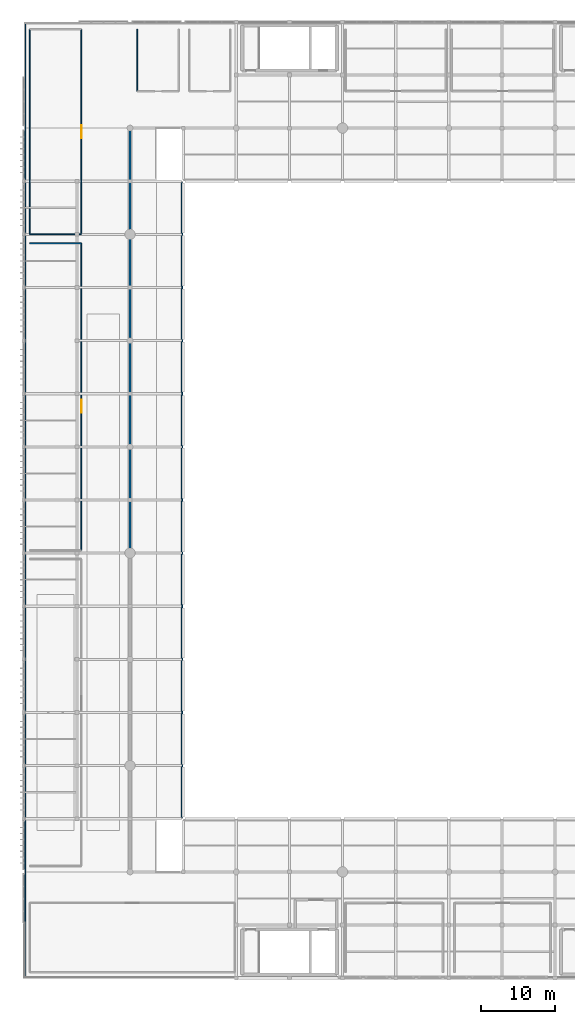
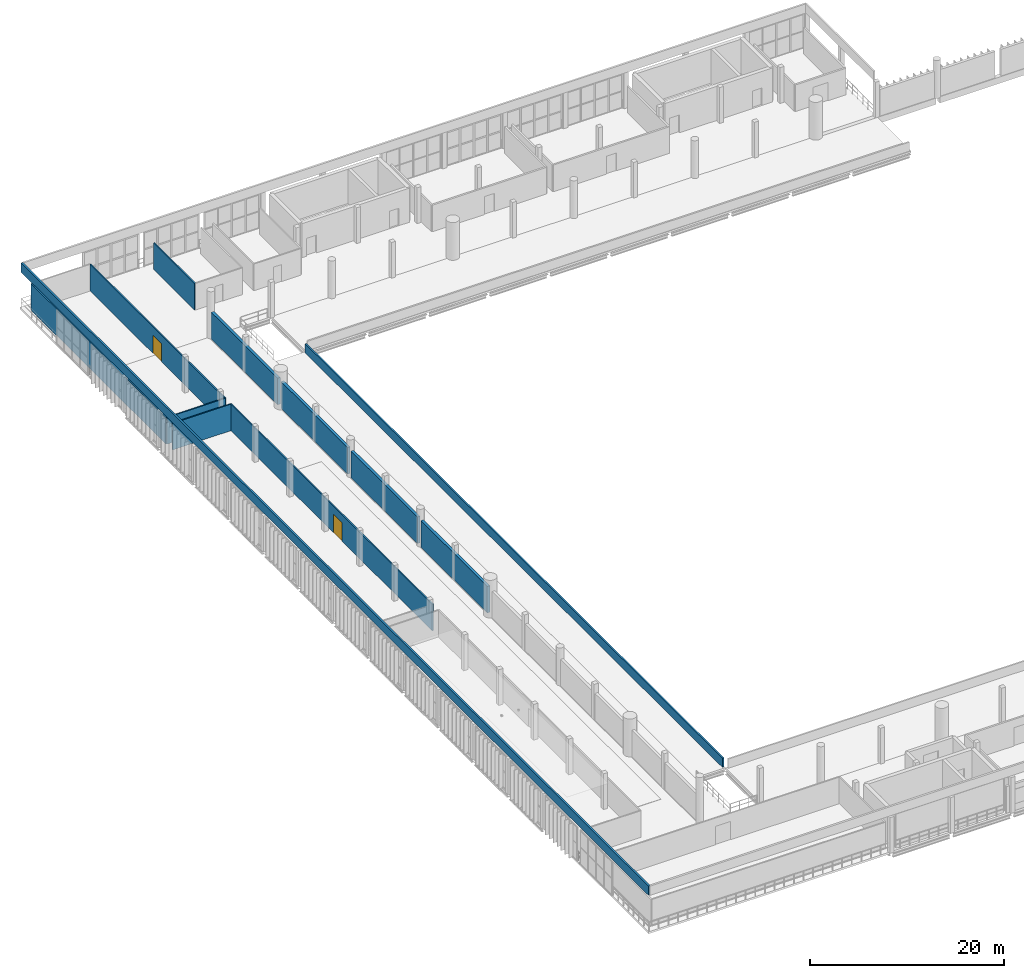
# One storey, part 46 of 64: 12 walls, 2 doors, 2 openings.
"""IFC4 building model written with IfcOpenShell, lengths in metres."""

from ifc_helpers import new_model, si_unit, direction, frame, frame_2d, origin, place, context, subcontext, project, spatial, rectangle, extrude, material, layer, layer_set, type_object, element, fill, save


model = new_model("IFC4")

# Units and contexts
model_context = context("Model", 3, precision=1e-05, world=origin(), true_north=direction((0.0, 1.0)))
body_context = subcontext(model_context, "Body", "Model", "MODEL_VIEW")
ifc_project = project(units=[si_unit("LENGTHUNIT", "METRE"), si_unit("AREAUNIT", "SQUARE_METRE"), si_unit("VOLUMEUNIT", "CUBIC_METRE"), si_unit("PLANEANGLEUNIT", "RADIAN"), si_unit("MASSUNIT", "GRAM", prefix="KILO")], contexts=[model_context])

# Site, building, storey
site_placement = place(None, origin())
site = spatial("IfcSite", under=ifc_project, at=site_placement, CompositionType="ELEMENT")
building_placement = place(site_placement, origin())
building = spatial("IfcBuilding", under=site, at=building_placement, Name="Qandorah Velis Arena", CompositionType="ELEMENT")
storey_placement = place(building_placement, frame((0.0, 0.0, 23.0)))
storey = spatial("IfcBuildingStorey", under=building, at=storey_placement, Name="L05", CompositionType="ELEMENT", Elevation=23.0)

# Walls
ifc_material_1 = material(Name="Precast concrete C40/50", Category="concrete")
ifc_layer_1 = layer(ifc_material_1, 0.320068359375)
ifc_layer_set_1 = layer_set([ifc_layer_1], Name="Precast concrete C40/50")
wall_type_1 = type_object("IfcWallType", Name="ARC-WAL-BOWL320", PredefinedType="SOLIDWALL", material=ifc_layer_set_1)
for number, where, z_axis, x_axis, name in (
    (1, (14.39990234375, 57.949951171875, 0.0), (0.0, 0.0, 1.0), (0.0, 1.0, 0.0), "Arena bowl acoustic drum wall 1.4 (L05)"),
    (2, (14.39990234375, 72.35009765625, 0.0), (0.0, 0.0, 1.0), (0.0, 1.0, 0.0), "Arena bowl acoustic drum wall 1.5 (L05)"),
    (3, (14.39990234375, 86.75, 0.0), (0.0, 0.0, 1.0), (0.0, 1.0, 0.0), "Arena bowl acoustic drum wall 1.6 (L05)"),
):
    element("IfcWall", number, at=place(storey_placement, frame(where, z_axis=z_axis, x_axis=x_axis)), inside=storey, type_object=wall_type_1, Name=name, PredefinedType="SOLIDWALL", context=body_context, shape_type="SweptSolid", body=[
        extrude(rectangle(XDim=13.699951171875, YDim=0.320068359375, at=frame_2d((6.85009765625, 0.0))), origin(), (0.0, 0.0, 1.0), 3.340087890625),
    ])
wall_1_placement = place(storey_placement, frame((14.39990234375, 101.14990234375, 0.0), z_axis=(0.0, 0.0, 1.0), x_axis=(0.0, 1.0, 0.0)))
element("IfcWall", 4, at=wall_1_placement, inside=storey, type_object=wall_type_1, Name="Arena bowl acoustic drum wall 1.7 (L05)", PredefinedType="SOLIDWALL", context=body_context, shape_type="SweptSolid", body=[
    extrude(rectangle(XDim=13.7001953125, YDim=0.320068359375, at=frame_2d((6.85009765625, 0.0))), origin(), (0.0, 0.0, 1.0), 3.340087890625),
])
ifc_layer_2 = layer(ifc_material_1, 0.179931640625)
ifc_layer_set_2 = layer_set([ifc_layer_2], Name="Precast concrete C40/50")
wall_type_2 = type_object("IfcWallType", Name="ARC-WAL-PAR180", PredefinedType="PARAPET", material=ifc_layer_set_2)
wall_2_placement = place(storey_placement, frame((21.449951171875, 21.800048828125, 0.0), z_axis=(0.0, 0.0, 1.0), x_axis=(0.0, 1.0, 0.0)))
element("IfcWall", 5, at=wall_2_placement, inside=storey, type_object=wall_type_2, Name="Roof perimeter parapet wall PW-06", PredefinedType="PARAPET", context=body_context, shape_type="SweptSolid", body=[
    extrude(rectangle(XDim=86.0, YDim=0.179931640625, at=frame_2d((43.0, 0.0))), origin(), (0.0, 0.0, 1.0), 1.14990234375),
])
ifc_layer_3 = layer(ifc_material_1, 0.219970703125)
ifc_layer_set_3 = layer_set([ifc_layer_3], Name="Precast concrete C40/50")
wall_type_3 = type_object("IfcWallType", Name="ARC-WAL-PAR220", PredefinedType="PARAPET", material=ifc_layer_set_3)
wall_3_placement = place(storey_placement, frame((0.14990234375, 0.14990234375, 4.5), z_axis=(0.0, 0.0, 1.0), x_axis=(0.0, 1.0, 0.0)))
element("IfcWall", 6, at=wall_3_placement, inside=storey, type_object=wall_type_3, Name="Roof perimeter parapet wall PW-01", PredefinedType="PARAPET", context=body_context, shape_type="SweptSolid", body=[
    extrude(rectangle(XDim=129.300048828125, YDim=0.219970703125, at=frame_2d((64.64990234375, 0.0))), origin(), (0.0, 0.0, 1.0), 1.14990234375),
])

# Wall, opening, door
ifc_material_2 = material(Name="Concrete C35/45", Category="concrete")
ifc_layer_4 = layer(ifc_material_2, 0.14990234375)
ifc_layer_set_4 = layer_set([ifc_layer_4], Name="Concrete C35/45")
wall_type_4 = type_object("IfcWallType", Name="ARC-WAL-PART150", PredefinedType="PARTITIONING", material=ifc_layer_set_4)
wall_4_placement = place(storey_placement, frame((7.800048828125, 58.0, 0.0), z_axis=(0.0, 0.0, 1.0), x_axis=(0.0, 1.0, 0.0)))
wall_4 = element("IfcWall", 7, at=wall_4_placement, inside=storey, type_object=wall_type_4, Name="Interior partition L05-HER-GAL (E)", PredefinedType="PARTITIONING", context=body_context, shape_type="SweptSolid", body=[
    extrude(rectangle(XDim=41.60009765625, YDim=0.14990234375, at=frame_2d((20.800048828125, 0.0))), origin(), (0.0, 0.0, 1.0), 3.340087890625),
])
opening_1_placement = place(wall_4_placement, frame((18.60009765625, 0.0, 0.0)))
opening_1 = element("IfcOpeningElement", 8, at=opening_1_placement, cuts=wall_4, Name="Opening D3", PredefinedType="OPENING", context=body_context, shape_type="SweptSolid", body=[
    extrude(rectangle(XDim=1.800048828125, YDim=2.300048828125, at=frame_2d((0.89990234375, 1.14990234375))), frame((0.0, 0.0849609375, 0.0), z_axis=(0.0, -1.0, 0.0), x_axis=(1.0, 0.0, 0.0)), (0.0, 0.0, 1.0), 0.169921875),
])
ifc_material_3 = material(Name="Double-leaf acoustic timber door", Category="wood")
door_type = type_object("IfcDoorType", Name="ARC-DR-DBL1800", OperationType="NOTDEFINED", PredefinedType="DOOR", material=ifc_material_3)
door_1_placement = place(opening_1_placement, origin())
door_1 = element("IfcDoor", 9, at=door_1_placement, inside=storey, type_object=door_type, Name="Door L05-HER-GAL", OperationType="DOUBLE_DOOR_SINGLE_SWING", OverallHeight=2.300048828125, OverallWidth=1.800048828125, PredefinedType="DOOR", context=body_context, shape_type="SweptSolid", body=[
    extrude(rectangle(XDim=1.800048828125, YDim=2.300048828125, at=frame_2d((0.89990234375, 1.14990234375))), frame((0.0, 0.02490234375, 0.0), z_axis=(0.0, -1.0, 0.0), x_axis=(1.0, 0.0, 0.0)), (0.0, 0.0, 1.0), 0.050048828125),
])
fill(opening_1, door_1)

# Walls
for number, where, z_axis, x_axis, name in (
    (10, (7.800048828125, 99.60009765625, 0.0), (0.0, 0.0, 1.0), (-1.0, 0.0, 0.0), "Interior partition L05-HER-GAL (N)"),
    (11, (0.800048828125, 100.800048828125, 0.0), (0.0, 0.0, 1.0), (1.0, 0.0, 0.0), "Interior partition L05-SKY-DIN (S)"),
):
    element("IfcWall", number, at=place(storey_placement, frame(where, z_axis=z_axis, x_axis=x_axis)), inside=storey, type_object=wall_type_4, Name=name, PredefinedType="PARTITIONING", context=body_context, shape_type="SweptSolid", body=[
        extrude(rectangle(XDim=7.0, YDim=0.14990234375, at=frame_2d((3.5, 0.0))), origin(), (0.0, 0.0, 1.0), 3.340087890625),
    ])

# Wall, opening, door
wall_5_placement = place(storey_placement, frame((7.800048828125, 100.800048828125, 0.0), z_axis=(0.0, 0.0, 1.0), x_axis=(0.0, 1.0, 0.0)))
wall_5 = element("IfcWall", 12, at=wall_5_placement, inside=storey, type_object=wall_type_4, Name="Interior partition L05-SKY-DIN (E)", PredefinedType="PARTITIONING", context=body_context, shape_type="SweptSolid", body=[
    extrude(rectangle(XDim=27.800048828125, YDim=0.14990234375, at=frame_2d((13.89990234375, 0.0))), origin(), (0.0, 0.0, 1.0), 3.340087890625),
])
opening_2_placement = place(wall_5_placement, frame((13.0, 0.0, 0.0)))
opening_2 = element("IfcOpeningElement", 13, at=opening_2_placement, cuts=wall_5, Name="Opening D3", PredefinedType="OPENING", context=body_context, shape_type="SweptSolid", body=[
    extrude(rectangle(XDim=1.800048828125, YDim=2.300048828125, at=frame_2d((0.89990234375, 1.14990234375))), frame((0.0, 0.0849609375, 0.0), z_axis=(0.0, -1.0, 0.0), x_axis=(1.0, 0.0, 0.0)), (0.0, 0.0, 1.0), 0.169921875),
])
door_2_placement = place(opening_2_placement, frame((1.800048828125, 0.0, 0.0), z_axis=(0.0, 0.0, 1.0), x_axis=(-1.0, 0.0, 0.0)))
door_2 = element("IfcDoor", 14, at=door_2_placement, inside=storey, type_object=door_type, Name="Door L05-SKY-DIN", OperationType="DOUBLE_DOOR_SINGLE_SWING", OverallHeight=2.300048828125, OverallWidth=1.800048828125, PredefinedType="DOOR", context=body_context, shape_type="SweptSolid", body=[
    extrude(rectangle(XDim=1.800048828125, YDim=2.300048828125, at=frame_2d((0.89990234375, 1.14990234375))), frame((0.0, 0.02490234375, 0.0), z_axis=(0.0, -1.0, 0.0), x_axis=(1.0, 0.0, 0.0)), (0.0, 0.0, 1.0), 0.050048828125),
])
fill(opening_2, door_2)

# Walls
wall_6_placement = place(storey_placement, frame((0.800048828125, 128.60009765625, 0.0), z_axis=(0.0, 0.0, 1.0), x_axis=(0.0, -1.0, 0.0)))
element("IfcWall", 15, at=wall_6_placement, inside=storey, type_object=wall_type_4, Name="Interior partition L05-SKY-DIN (W)", PredefinedType="PARTITIONING", context=body_context, shape_type="SweptSolid", body=[
    extrude(rectangle(XDim=27.800048828125, YDim=0.14990234375, at=frame_2d((13.89990234375, 0.0))), origin(), (0.0, 0.0, 1.0), 3.340087890625),
])
wall_7_placement = place(storey_placement, frame((15.39990234375, 128.60009765625, 0.0), z_axis=(0.0, 0.0, 1.0), x_axis=(0.0, -1.0, 0.0)))
element("IfcWall", 16, at=wall_7_placement, inside=storey, type_object=wall_type_4, Name="Interior partition L05-L05-MWC (W)", PredefinedType="PARTITIONING", context=body_context, shape_type="SweptSolid", body=[
    extrude(rectangle(XDim=8.400146484375, YDim=0.14990234375, at=frame_2d((4.2001953125, 0.0))), origin(), (0.0, 0.0, 1.0), 3.340087890625),
])

save(model, "model.ifc")
